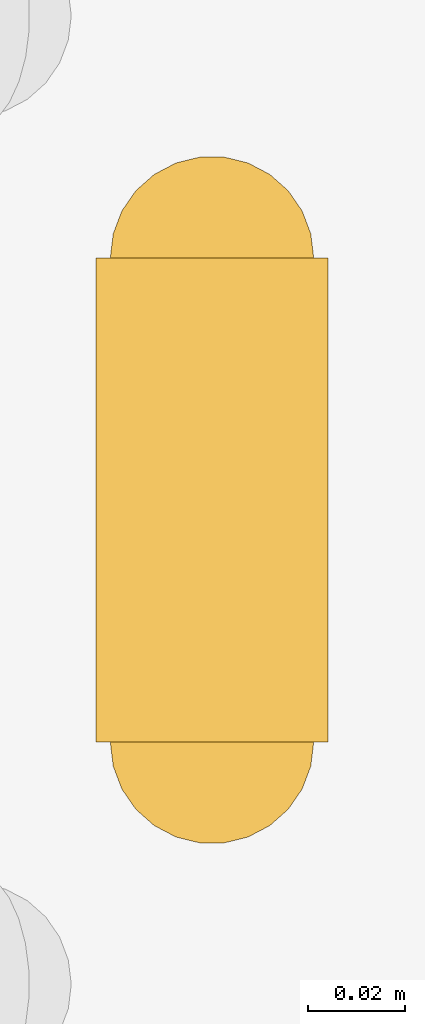
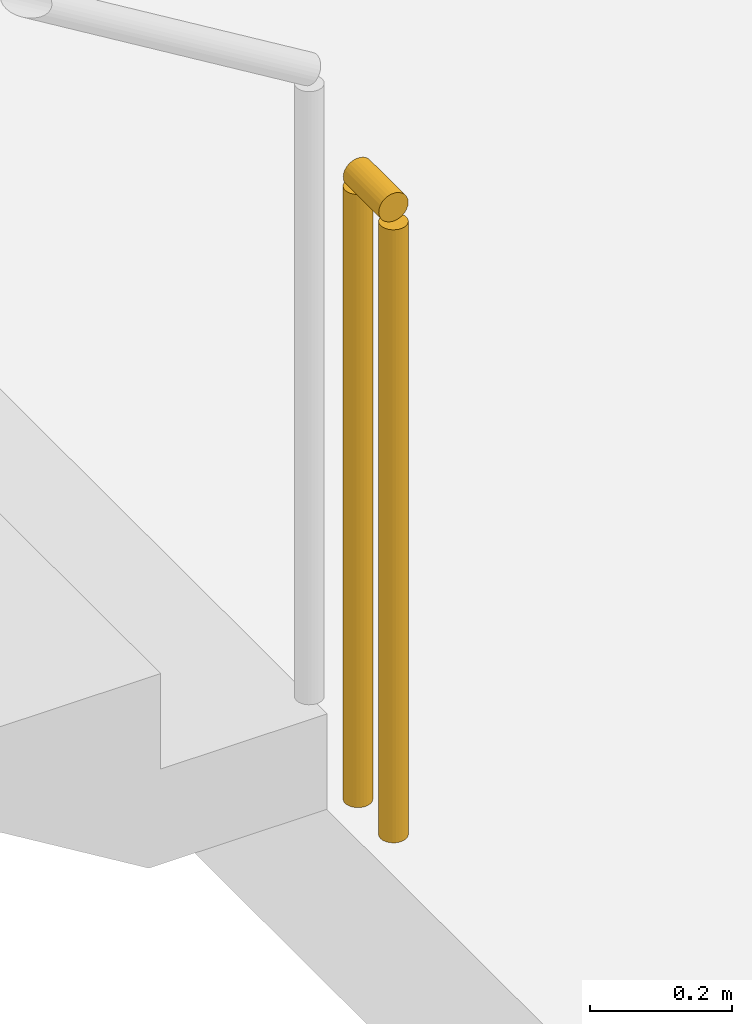
# One storey, part 15 of 16: 1 railing.
"""IFC4 building model written with IfcOpenShell, lengths in metres."""

from ifc_helpers import new_model, si_unit, direction, frame, origin, origin_2d, place, context, subcontext, project, spatial, circle, extrude, material, type_object, element, save


model = new_model("IFC4")

# Units and contexts
model_context = context("Model", 3, precision=1e-05, world=origin(), true_north=direction((0.0, 1.0)))
body_context = subcontext(model_context, "Body", "Model", "MODEL_VIEW")
ifc_project = project(units=[si_unit("LENGTHUNIT", "METRE"), si_unit("AREAUNIT", "SQUARE_METRE"), si_unit("VOLUMEUNIT", "CUBIC_METRE"), si_unit("PLANEANGLEUNIT", "RADIAN"), si_unit("MASSUNIT", "GRAM", prefix="KILO")], contexts=[model_context])

# Site, building, storey
site_placement = place(None, origin())
site = spatial("IfcSite", under=ifc_project, at=site_placement, CompositionType="ELEMENT")
building_placement = place(site_placement, origin())
building = spatial("IfcBuilding", under=site, at=building_placement, Name="Vermilion Reach Broadcast Tower", CompositionType="ELEMENT")
storey_placement = place(building_placement, frame((0.0, 0.0, 113.800048828125)))
storey = spatial("IfcBuildingStorey", under=building, at=storey_placement, Name="L26", CompositionType="ELEMENT", Elevation=113.800048828125)

# Railing
ifc_material = material(Name="Stainless steel", Category="steel")
railing_type = type_object("IfcRailingType", Name="Stair guard 1100", PredefinedType="GUARDRAIL", material=ifc_material)
railing_placement = place(storey_placement, frame((-0.949951171875, 5.639892578125, 0.0)))
element("IfcRailing", 1, at=railing_placement, inside=storey, type_object=railing_type, Name="L26 ST2 stair guard 4", PredefinedType="GUARDRAIL", context=body_context, shape_type="SweptSolid", body=[
    extrude(circle(Radius=0.02392578125, at=origin_2d()), frame((0.0, 0.0, 1.076171875), z_axis=(0.0, -1.0, 0.0), x_axis=(1.0, 0.0, 0.0)), (0.0, 0.0, 1.0), 0.099853515625),
    extrude(circle(Radius=0.02099609375, at=origin_2d()), origin(), (0.0, 0.0, 1.0), 1.052001953125),
    extrude(circle(Radius=0.02099609375, at=origin_2d()), frame((0.0, -0.099853515625, 0.0)), (0.0, 0.0, 1.0), 1.052001953125),
])

save(model, "model.ifc")
